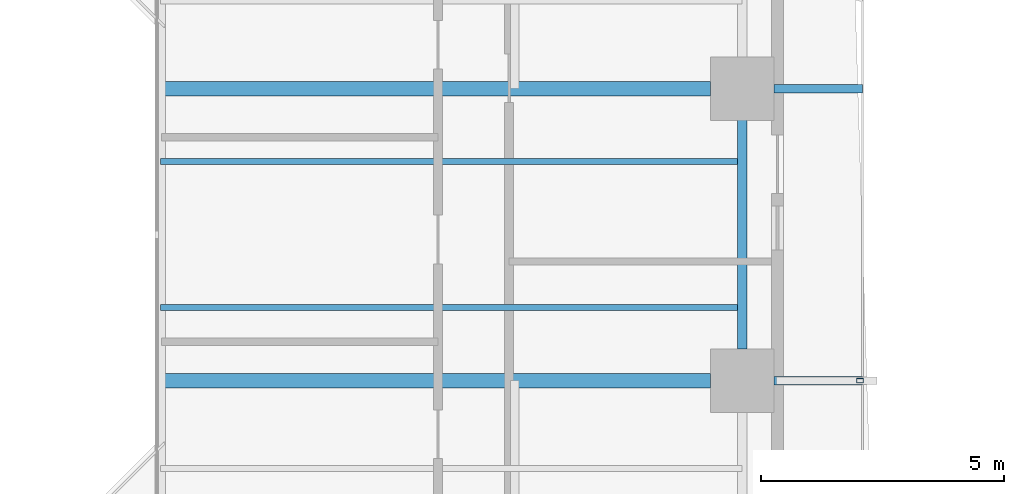
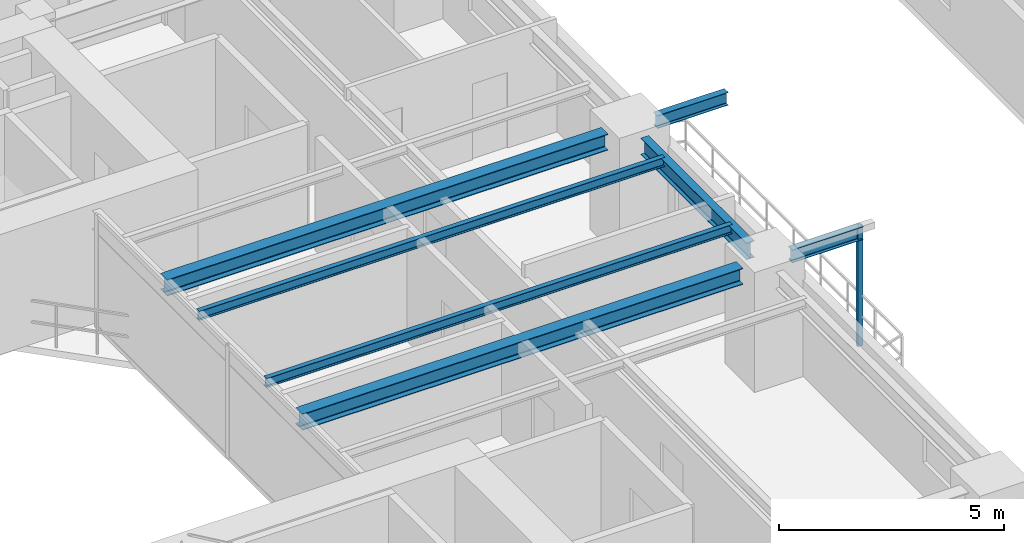
# One storey, part 7 of 23: 7 beams, 1 member.
"""IFC4 building model written with IfcOpenShell, lengths in metres."""

from ifc_helpers import new_model, si_unit, direction, frame, origin, origin_2d, place, context, subcontext, project, spatial, hollow_rectangle, i_section, extrude, source, transform, mapped, material, material_profile, profile_set, type_object, element, save


model = new_model("IFC4")

# Units and contexts
model_context = context("Model", 3, precision=1e-05, world=origin(), true_north=direction((0.0, 1.0)))
body_context = subcontext(model_context, "Body", "Model", "MODEL_VIEW")
ifc_project = project(units=[si_unit("LENGTHUNIT", "METRE"), si_unit("AREAUNIT", "SQUARE_METRE"), si_unit("VOLUMEUNIT", "CUBIC_METRE"), si_unit("PLANEANGLEUNIT", "RADIAN"), si_unit("MASSUNIT", "GRAM", prefix="KILO"), si_unit("THERMODYNAMICTEMPERATUREUNIT", "KELVIN"), si_unit("POWERUNIT", "WATT")], contexts=[model_context])

# Site, building, storey
site_placement = place(None, origin())
site = spatial("IfcSite", under=ifc_project, at=site_placement, CompositionType="ELEMENT")
building_placement = place(site_placement, origin())
building = spatial("IfcBuilding", under=site, at=building_placement, Name="Qiaomeng Ring Towers", CompositionType="ELEMENT")
storey_placement = place(building_placement, frame((0.0, 0.0, 66.5)))
storey = spatial("IfcBuildingStorey", under=building, at=storey_placement, Name="L18", CompositionType="ELEMENT", Elevation=66.5)

# Beams
ifc_material_1 = material(Name="Steel Q355B", Category="steel")
ifc_material_profile_1 = material_profile(ifc_material_1, i_section(OverallWidth=0.199951171875, OverallDepth=0.449951171875, WebThickness=0.009033203125, FlangeThickness=0.013916015625, FilletRadius=0.01806640625, at=origin_2d()), Name="HN 450x200x9x14")
ifc_profile_set_1 = profile_set([ifc_material_profile_1], Name="Steel Q355B")
beam_type_1 = type_object("IfcBeamType", Name="STR-BM-HN450", PredefinedType="SPANDREL", material=ifc_profile_set_1)
shared_shape_1 = source(origin(), body_context, "Body", "SweptSolid", [
    extrude(i_section(OverallWidth=0.199951171875, OverallDepth=0.449951171875, WebThickness=0.009033203125, FlangeThickness=0.013916015625, FilletRadius=0.01806640625, at=origin_2d()), origin(), (0.0, 0.0, 1.0), 4.7021484375),
])
beam_placement = place(storey_placement, frame((37.14990234375, 20.64892578125, 2.844970703125), z_axis=(0.0, 1.0, 0.0), x_axis=(-1.0, 0.0, 0.0)))
element("IfcBeam", 1, at=beam_placement, inside=storey, type_object=beam_type_1, Name="L18 beam STR-SP-L18-T1-E2-E3", PredefinedType="SPANDREL", context=body_context, shape_type="MappedRepresentation", body=[
    mapped(shared_shape_1, transform((0.0, 0.0, 0.0), x_axis=(1.0, 0.0, 0.0), y_axis=(0.0, 1.0, 0.0), z_axis=(0.0, 0.0, 1.0), scale=1.0)),
])
ifc_material_profile_2 = material_profile(ifc_material_1, i_section(OverallWidth=0.300048828125, OverallDepth=0.43994140625, WebThickness=0.010986328125, FlangeThickness=0.01806640625, FilletRadius=0.02392578125, at=origin_2d()), Name="HM 440x300x11x18")
ifc_profile_set_2 = profile_set([ifc_material_profile_2], Name="Steel Q355B")
beam_type_2 = type_object("IfcBeamType", Name="STR-BM-HM440", PredefinedType="BEAM", material=ifc_profile_set_2)
shared_shape_2 = source(origin(), body_context, "Body", "SweptSolid", [
    extrude(i_section(OverallWidth=0.300048828125, OverallDepth=0.43994140625, WebThickness=0.010986328125, FlangeThickness=0.01806640625, FilletRadius=0.02392578125, at=origin_2d()), origin(), (0.0, 0.0, 1.0), 11.301025390625),
])
for number, where, z_axis, x_axis, name in (
    (2, (25.199951171875, 20.0, 2.85009765625), (1.0, 0.0, 0.0), (0.0, 1.0, 0.0), "L18 beam STR-BM-L18-T1-RAD-E2"),
    (3, (25.199951171875, 26.0, 2.85009765625), (1.0, 0.0, 0.0), (0.0, 1.0, 0.0), "L18 beam STR-BM-L18-T1-RAD-E3"),
):
    element("IfcBeam", number, at=place(storey_placement, frame(where, z_axis=z_axis, x_axis=x_axis)), inside=storey, type_object=beam_type_2, Name=name, PredefinedType="BEAM", context=body_context, shape_type="MappedRepresentation", body=[
        mapped(shared_shape_2, transform((0.0, 0.0, 0.0), x_axis=(1.0, 0.0, 0.0), y_axis=(0.0, 1.0, 0.0), z_axis=(0.0, 0.0, 1.0), scale=1.0)),
    ])
ifc_material_profile_3 = material_profile(ifc_material_1, i_section(OverallWidth=0.175048828125, OverallDepth=0.35009765625, WebThickness=0.007080078125, FlangeThickness=0.010986328125, FilletRadius=0.013916015625, at=origin_2d()), Name="HN 350x175x7x11")
ifc_profile_set_3 = profile_set([ifc_material_profile_3], Name="Steel Q355B")
beam_type_3 = type_object("IfcBeamType", Name="STR-BM-HN350", PredefinedType="JOIST", material=ifc_profile_set_3)
shared_shape_3 = source(origin(), body_context, "Body", "SweptSolid", [
    extrude(i_section(OverallWidth=0.175048828125, OverallDepth=0.35009765625, WebThickness=0.007080078125, FlangeThickness=0.010986328125, FilletRadius=0.013916015625, at=origin_2d()), origin(), (0.0, 0.0, 1.0), 1.821044921875),
])
for number, where, z_axis, x_axis, name in (
    (4, (37.799072265625, 20.0, 2.89501953125), (1.0, 0.0, 0.0), (0.0, 1.0, 0.0), "L18 beam STR-BALBM-L18-E2"),
    (5, (37.799072265625, 26.0, 2.89501953125), (1.0, 0.0, 0.0), (0.0, 1.0, 0.0), "L18 beam STR-BALBM-L18-E3"),
):
    element("IfcBeam", number, at=place(storey_placement, frame(where, z_axis=z_axis, x_axis=x_axis)), inside=storey, type_object=beam_type_3, Name=name, PredefinedType="JOIST", context=body_context, shape_type="MappedRepresentation", body=[
        mapped(shared_shape_3, transform((0.0, 0.0, 0.0), x_axis=(1.0, 0.0, 0.0), y_axis=(0.0, 1.0, 0.0), z_axis=(0.0, 0.0, 1.0), scale=1.0)),
    ])
ifc_material_profile_4 = material_profile(ifc_material_1, i_section(OverallWidth=0.125, OverallDepth=0.25, WebThickness=0.006103515625, FlangeThickness=0.009033203125, FilletRadius=0.011962890625, at=origin_2d()), Name="HN 250x125x6x9")
ifc_profile_set_4 = profile_set([ifc_material_profile_4], Name="Steel Q355B")
beam_type_4 = type_object("IfcBeamType", Name="STR-BM-HN250", PredefinedType="JOIST", material=ifc_profile_set_4)
shared_shape_4 = source(origin(), body_context, "Body", "SweptSolid", [
    extrude(i_section(OverallWidth=0.125, OverallDepth=0.25, WebThickness=0.006103515625, FlangeThickness=0.009033203125, FilletRadius=0.011962890625, at=origin_2d()), origin(), (0.0, 0.0, 1.0), 11.949951171875),
])
for number, where, z_axis, x_axis, name in (
    (6, (25.199951171875, 21.5, 2.945068359375), (1.0, 0.0, 0.0), (0.0, 1.0, 0.0), "L18 beam STR-JST-L18-T1E-2"),
    (7, (25.199951171875, 24.5, 2.945068359375), (1.0, 0.0, 0.0), (0.0, 1.0, 0.0), "L18 beam STR-JST-L18-T1E-3"),
):
    element("IfcBeam", number, at=place(storey_placement, frame(where, z_axis=z_axis, x_axis=x_axis)), inside=storey, type_object=beam_type_4, Name=name, PredefinedType="JOIST", context=body_context, shape_type="MappedRepresentation", body=[
        mapped(shared_shape_4, transform((0.0, 0.0, 0.0), x_axis=(1.0, 0.0, 0.0), y_axis=(0.0, 1.0, 0.0), z_axis=(0.0, 0.0, 1.0), scale=1.0)),
    ])

# Member
ifc_material_2 = material(Name="Stainless steel 316", Category="steel")
ifc_material_profile_5 = material_profile(ifc_material_2, hollow_rectangle(XDim=0.090087890625, YDim=0.139892578125, WallThickness=0.0048828125, at=origin_2d()), Name="SS TRELLIS 90x140")
ifc_profile_set_5 = profile_set([ifc_material_profile_5], Name="Stainless steel 316")
member_type = type_object("IfcMemberType", Name="ARC-TR-POST1", PredefinedType="STUD", material=ifc_profile_set_5)
shared_shape_5 = source(origin(), body_context, "Body", "SweptSolid", [
    extrude(hollow_rectangle(XDim=0.090087890625, YDim=0.139892578125, WallThickness=0.0048828125, at=origin_2d()), origin(), (0.0, 0.0, 1.0), 3.25),
])
member_placement = place(storey_placement, frame((39.570068359375, 20.0, -0.179931640625), z_axis=(0.0, 0.0, 1.0), x_axis=(0.0, 1.0, 0.0)))
element("IfcMember", 8, at=member_placement, inside=storey, type_object=member_type, Name="L18 Outer Ventilated Trellis Post E", PredefinedType="STUD", context=body_context, shape_type="MappedRepresentation", body=[
    mapped(shared_shape_5, transform((0.0, 0.0, 0.0), x_axis=(1.0, 0.0, 0.0), y_axis=(0.0, 1.0, 0.0), z_axis=(0.0, 0.0, 1.0), scale=1.0)),
])

save(model, "model.ifc")
